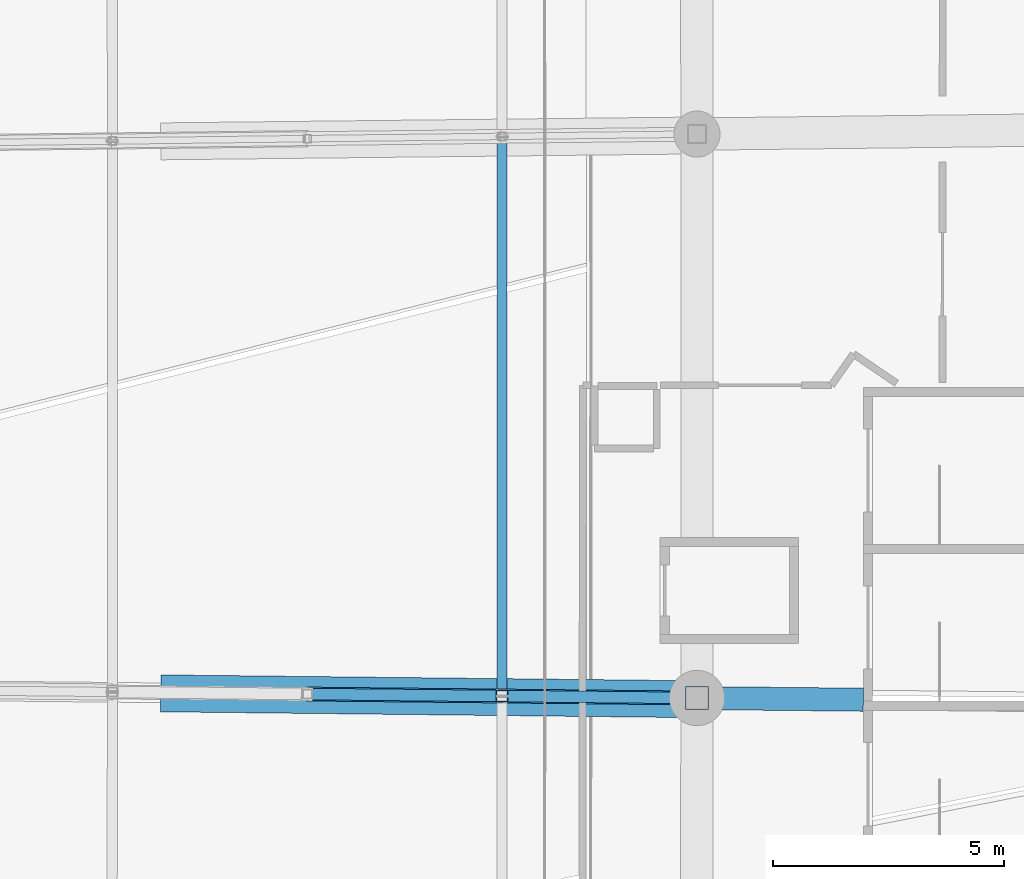
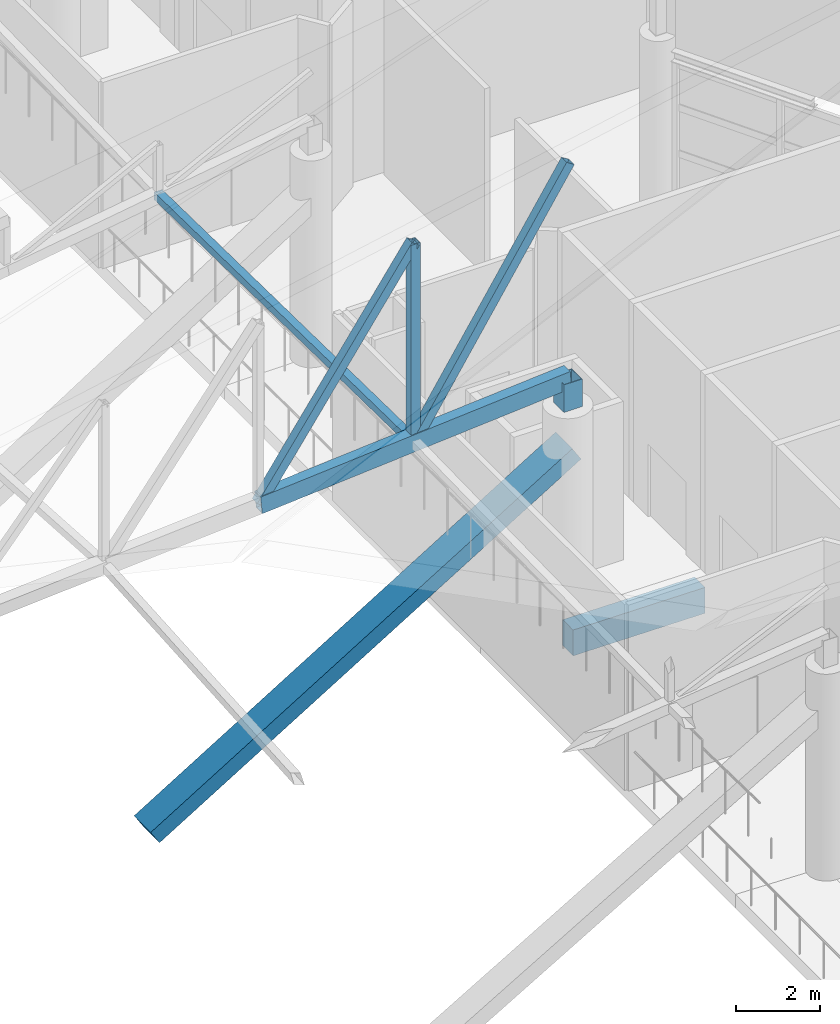
# One storey, part 109 of 344: 6 members, 2 beams.
"""IFC4 building model written with IfcOpenShell, lengths in metres."""

from ifc_helpers import new_model, si_unit, direction, frame, origin, origin_2d, place, context, subcontext, project, spatial, rectangle, hollow_rectangle, extrude, material, material_profile, profile_set, type_object, element, save


model = new_model("IFC4")

# Units and contexts
model_context = context("Model", 3, precision=1e-05, world=origin(), true_north=direction((0.0, 1.0)))
body_context = subcontext(model_context, "Body", "Model", "MODEL_VIEW")
ifc_project = project(units=[si_unit("LENGTHUNIT", "METRE"), si_unit("AREAUNIT", "SQUARE_METRE"), si_unit("VOLUMEUNIT", "CUBIC_METRE"), si_unit("PLANEANGLEUNIT", "RADIAN"), si_unit("MASSUNIT", "GRAM", prefix="KILO")], contexts=[model_context])

# Site, building, storey
site_placement = place(None, origin())
site = spatial("IfcSite", under=ifc_project, at=site_placement, CompositionType="ELEMENT")
building_placement = place(site_placement, origin())
building = spatial("IfcBuilding", under=site, at=building_placement, Name="Meseta Stadium", CompositionType="ELEMENT")
storey_placement = place(building_placement, frame((0.0, 0.0, 24.0)))
storey = spatial("IfcBuildingStorey", under=building, at=storey_placement, Name="L04", CompositionType="ELEMENT", Elevation=24.0)

# Beams
ifc_material_1 = material(Name="Concrete C40/50", Category="concrete")
ifc_material_profile_1 = material_profile(ifc_material_1, rectangle(XDim=0.5, YDim=0.75, at=origin_2d()), Name="RC 500x750")
ifc_profile_set_1 = profile_set([ifc_material_profile_1], Name="Concrete C40/50")
beam_type_1 = type_object("IfcBeamType", Name="RC beam 500x750", PredefinedType="BEAM", material=ifc_profile_set_1)
beam_1_placement = place(storey_placement, frame((84.99755859375, -6.081298828125, -0.77490234375), z_axis=(0.999946950007, -0.010300348089, 0.0), x_axis=(0.010300348089, 0.999946950007, 0.0)))
element("IfcBeam", 1, at=beam_1_placement, inside=storey, type_object=beam_type_1, Name="L04 radial beam frame 4 line P to R", PredefinedType="BEAM", context=body_context, shape_type="SweptSolid", body=[
    extrude(rectangle(XDim=0.5, YDim=0.75, at=origin_2d()), origin(), (0.0, 0.0, 1.0), 3.602783203125),
])
ifc_material_2 = material(Name="Concrete C40/50", Category="concrete")
ifc_material_profile_2 = material_profile(ifc_material_2, rectangle(XDim=0.800048828125, YDim=0.449951171875, at=origin_2d()), Name="RC 800x450")
ifc_profile_set_2 = profile_set([ifc_material_profile_2], Name="Concrete C40/50")
beam_type_2 = type_object("IfcBeamType", Name="RC raker upper rear 800x450", PredefinedType="USERDEFINED", material=ifc_profile_set_2)
beam_2_placement = place(storey_placement, frame((73.498046875, -5.981201171875, -2.3662109375), z_axis=(0.847962583071, -0.009307587003, 0.529974364036), x_axis=(0.010975751222, 0.999939764628, 0.0)))
element("IfcBeam", 2, at=beam_2_placement, inside=storey, type_object=beam_type_2, Name="Raker upper rear frame 4 upper tier", ObjectType="RAKER", PredefinedType="USERDEFINED", context=body_context, shape_type="SweptSolid", body=[
    extrude(rectangle(XDim=0.800048828125, YDim=0.449951171875, at=origin_2d()), origin(), (0.0, 0.0, 1.0), 13.56103515625),
])

# Members
ifc_material_3 = material(Name="Steel S355", Category="steel")
ifc_material_profile_3 = material_profile(ifc_material_3, hollow_rectangle(XDim=0.300048828125, YDim=0.5, WallThickness=0.01611328125, at=origin_2d()), Name="RHS 500x300x16")
ifc_profile_set_3 = profile_set([ifc_material_profile_3], Name="Steel S355")
member_type_1 = type_object("IfcMemberType", Name="RHS 500x300x16 bottom chord", PredefinedType="CHORD", material=ifc_profile_set_3)
member_1_placement = place(storey_placement, frame((76.5537109375, -5.99462890625, 6.058837890625), z_axis=(0.996117285187, -0.010224415551, 0.087440353838), x_axis=(0.010263728125, 0.999947326555, 0.0)))
element("IfcMember", 3, at=member_1_placement, inside=storey, type_object=member_type_1, Name="ROOF TRUSS RT-04 bottom chord", PredefinedType="CHORD", context=body_context, shape_type="SweptSolid", body=[
    extrude(hollow_rectangle(XDim=0.300048828125, YDim=0.5, WallThickness=0.01611328125, at=origin_2d()), origin(), (0.0, 0.0, 1.0), 8.476806640625),
])
ifc_material_4 = material(Name="Steel S355", Category="steel")
ifc_material_profile_4 = material_profile(ifc_material_4, hollow_rectangle(XDim=0.219970703125, YDim=0.219970703125, WallThickness=0.008056640625, at=origin_2d()), Name="SHS 220x220x8")
ifc_profile_set_4 = profile_set([ifc_material_profile_4], Name="Steel S355")
member_type_2 = type_object("IfcMemberType", Name="SHS 220x220x8 strut", PredefinedType="STRUT", material=ifc_profile_set_4)
member_2_placement = place(storey_placement, frame((80.775634765625, -6.0380859375, 6.395263671875), z_axis=(-4.0262263e-05, 0.999852897554, -0.017151723855), x_axis=(-0.999999999189, -4.0268186e-05, 0.0)))
element("IfcMember", 4, at=member_2_placement, inside=storey, type_object=member_type_2, Name="ROOF TRUSS STRUT RT-04/05", PredefinedType="STRUT", context=body_context, shape_type="SweptSolid", body=[
    extrude(hollow_rectangle(XDim=0.219970703125, YDim=0.219970703125, WallThickness=0.008056640625, at=origin_2d()), origin(), (0.0, 0.0, 1.0), 12.12744140625),
])
ifc_material_5 = material(Name="Steel S355", Category="steel")
ifc_material_profile_5 = material_profile(ifc_material_5, hollow_rectangle(XDim=0.25, YDim=0.25, WallThickness=0.010009765625, at=origin_2d()), Name="SHS 250x250x10")
ifc_profile_set_5 = profile_set([ifc_material_profile_5], Name="Steel S355")
member_type_3 = type_object("IfcMemberType", Name="SHS 250x250x10 diagonal", PredefinedType="BRACE", material=ifc_profile_set_5)
member_3_placement = place(storey_placement, frame((76.5537109375, -5.99462890625, 6.058837890625), z_axis=(0.567736303784, -0.005843813223, 0.823189734637), x_axis=(0.010292636977, 0.999947029409, 0.0)))
element("IfcMember", 5, at=member_3_placement, inside=storey, type_object=member_type_3, Name="ROOF TRUSS RT-04 diagonal", PredefinedType="BRACE", context=body_context, shape_type="SweptSolid", body=[
    extrude(hollow_rectangle(XDim=0.25, YDim=0.25, WallThickness=0.010009765625, at=origin_2d()), origin(), (0.0, 0.0, 1.0), 7.4365234375),
])
member_4_placement = place(storey_placement, frame((80.775634765625, -6.0380859375, 6.395263671875), z_axis=(0.53484464544, -0.005474325001, 0.84493268194), x_axis=(0.010234819248, 0.999947622866, 0.0)))
element("IfcMember", 6, at=member_4_placement, inside=storey, type_object=member_type_3, Name="ROOF TRUSS RT-04 diagonal", PredefinedType="BRACE", context=body_context, shape_type="SweptSolid", body=[
    extrude(hollow_rectangle(XDim=0.25, YDim=0.25, WallThickness=0.010009765625, at=origin_2d()), origin(), (0.0, 0.0, 1.0), 7.893798828125),
])
ifc_material_6 = material(Name="Steel S355", Category="steel")
ifc_material_profile_6 = material_profile(ifc_material_6, hollow_rectangle(XDim=0.25, YDim=0.25, WallThickness=0.010009765625, at=origin_2d()), Name="SHS 250x250x10")
ifc_profile_set_6 = profile_set([ifc_material_profile_6], Name="Steel S355")
member_type_4 = type_object("IfcMemberType", Name="SHS 250x250x10 post", PredefinedType="POST", material=ifc_profile_set_6)
member_5_placement = place(storey_placement, frame((80.775634765625, -6.0380859375, 6.395263671875), z_axis=(0.0, 0.0, 1.0), x_axis=(1.0, 0.0, 0.0)))
element("IfcMember", 7, at=member_5_placement, inside=storey, type_object=member_type_4, Name="ROOF TRUSS RT-04 post", PredefinedType="POST", context=body_context, shape_type="SweptSolid", body=[
    extrude(hollow_rectangle(XDim=0.25, YDim=0.25, WallThickness=0.010009765625, at=origin_2d()), origin(), (0.0, 0.0, 1.0), 5.78515625),
])
ifc_material_7 = material(Name="Steel S355", Category="steel")
ifc_material_profile_7 = material_profile(ifc_material_7, hollow_rectangle(XDim=0.5, YDim=0.5, WallThickness=0.01611328125, at=origin_2d()), Name="SHS 500x500x16")
ifc_profile_set_7 = profile_set([ifc_material_profile_7], Name="Steel S355")
member_type_5 = type_object("IfcMemberType", Name="SHS 500x500x16 pedestal", PredefinedType="POST", material=ifc_profile_set_7)
member_6_placement = place(storey_placement, frame((84.99755859375, -6.081298828125, 6.0), z_axis=(0.0, 0.0, 1.0), x_axis=(1.0, 0.0, 0.0)))
element("IfcMember", 8, at=member_6_placement, inside=storey, type_object=member_type_5, Name="ROOF TRUSS RT-04 pedestal", PredefinedType="POST", context=body_context, shape_type="SweptSolid", body=[
    extrude(hollow_rectangle(XDim=0.5, YDim=0.5, WallThickness=0.01611328125, at=origin_2d()), origin(), (0.0, 0.0, 1.0), 0.800048828125),
])

save(model, "model.ifc")
